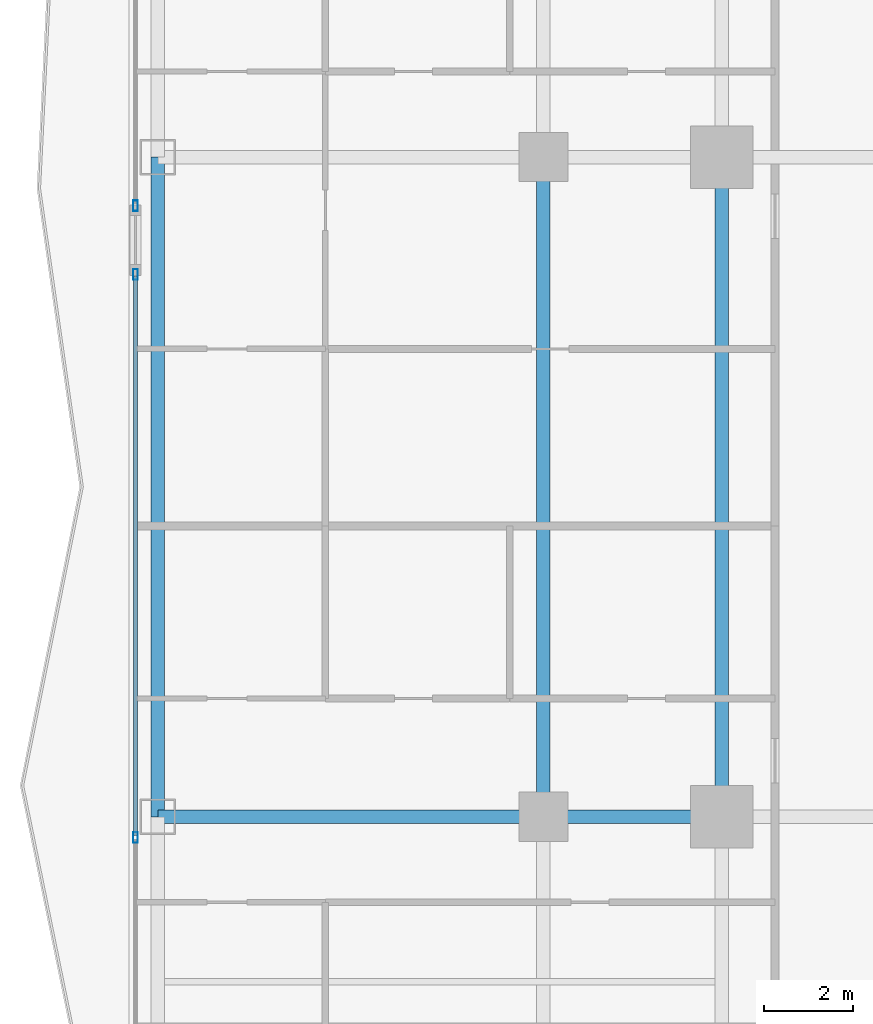
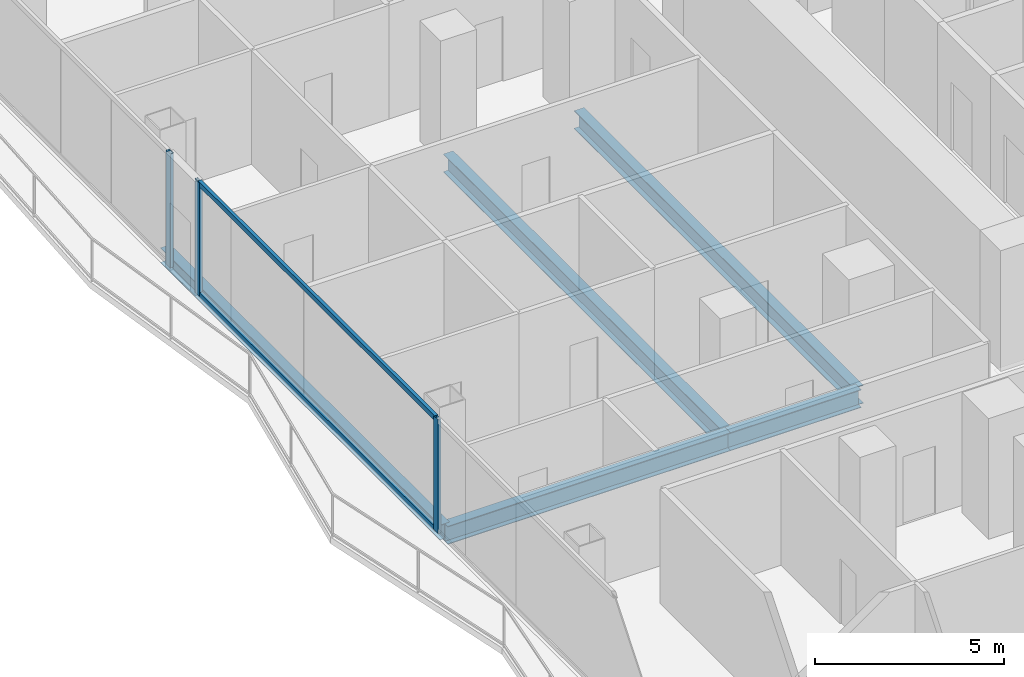
# One storey, part 6 of 33: 5 beams, 5 members, 2 elements without a shape of their own.
"""IFC4 building model written with IfcOpenShell, lengths in metres."""

from ifc_helpers import new_model, si_unit, direction, frame, origin, origin_2d, place, context, subcontext, project, spatial, hollow_rectangle, i_section, extrude, material, layer, layer_set, material_profile, profile_set, type_object, element, aggregate, save


model = new_model("IFC4")

# Units and contexts
model_context = context("Model", 3, precision=1e-05, world=origin(), true_north=direction((0.0, 1.0)))
body_context = subcontext(model_context, "Body", "Model", "MODEL_VIEW")
ifc_project = project(units=[si_unit("LENGTHUNIT", "METRE"), si_unit("AREAUNIT", "SQUARE_METRE"), si_unit("VOLUMEUNIT", "CUBIC_METRE"), si_unit("PLANEANGLEUNIT", "RADIAN"), si_unit("MASSUNIT", "GRAM", prefix="KILO")], contexts=[model_context])

# Site, building, storey
site_placement = place(None, origin())
site = spatial("IfcSite", under=ifc_project, at=site_placement, CompositionType="ELEMENT")
building_placement = place(site_placement, origin())
building = spatial("IfcBuilding", under=site, at=building_placement, Name="Khorvyn Point Tower", CompositionType="ELEMENT")
storey_placement = place(building_placement, frame((0.0, 0.0, 65.699951171875)))
storey = spatial("IfcBuildingStorey", under=building, at=storey_placement, Name="L17", CompositionType="ELEMENT", Elevation=65.699951171875)

# Curtain wall, members
ifc_material_1 = material(Name="Anodised aluminium 6063-T6 and laminated Low-E glass", Category="aluminium")
ifc_layer = layer(ifc_material_1, 0.18994140625)
ifc_layer_set = layer_set([ifc_layer], Name="Stick-Built Finned Residential Curtain Wall CW-SYS-02")
curtain_wall_type = type_object("IfcCurtainWallType", Name="Stick-Built Finned Residential Curtain Wall CW-SYS-02", PredefinedType="NOTDEFINED", material=ifc_layer_set)
curtain_wall_1_placement = place(storey_placement, origin())
curtain_wall_1 = element("IfcCurtainWall", 1, at=curtain_wall_1_placement, inside=storey, type_object=curtain_wall_type, Name="Curtain Wall", PredefinedType="NOTDEFINED")
ifc_material_2 = material(Name="Anodised aluminium 6063-T6", Category="aluminium")
ifc_material_profile_1 = material_profile(ifc_material_2, hollow_rectangle(XDim=0.10009765625, YDim=0.239990234375, WallThickness=0.0048828125, at=origin_2d()))
ifc_profile_set_1 = profile_set([ifc_material_profile_1], Name="Anodised aluminium 6063-T6 ALU-MUL-100x240")
member_type_1 = type_object("IfcMemberType", Name="Anodised Aluminium 6063-T6 Mullion ALU-MUL-100x240", PredefinedType="MULLION", material=ifc_profile_set_1)
member_1_placement = place(storey_placement, frame((-27.949951171875, -7.865478515625, 0.0), z_axis=(0.0, 0.0, 1.0), x_axis=(-1.0, 0.0, 0.0)))
member_1 = element("IfcMember", 2, at=member_1_placement, type_object=member_type_1, Name="Transom", PredefinedType="MULLION", context=body_context, shape_type="SweptSolid", body=[
    extrude(hollow_rectangle(XDim=0.10009765625, YDim=0.239990234375, WallThickness=0.0048828125, at=origin_2d()), origin(), (0.0, 0.0, 1.0), 3.679931640625),
])
member_2_placement = place(storey_placement, frame((-27.949951171875, 4.76904296875, 0.0), z_axis=(0.0, 0.0, 1.0), x_axis=(-1.0, 0.0, 0.0)))
member_2 = element("IfcMember", 3, at=member_2_placement, type_object=member_type_1, Name="Transom", PredefinedType="MULLION", context=body_context, shape_type="SweptSolid", body=[
    extrude(hollow_rectangle(XDim=0.10009765625, YDim=0.239990234375, WallThickness=0.0048828125, at=origin_2d()), origin(), (0.0, 0.0, 1.0), 3.679931640625),
])

# Curtain wall, member
curtain_wall_2_placement = place(storey_placement, origin())
curtain_wall_2 = element("IfcCurtainWall", 4, at=curtain_wall_2_placement, inside=storey, type_object=curtain_wall_type, Name="Curtain Wall", PredefinedType="NOTDEFINED")
member_3_placement = place(storey_placement, frame((-27.949951171875, 6.30908203125, 0.0), z_axis=(0.0, 0.0, 1.0), x_axis=(-1.0, 0.0, 0.0)))
member_3 = element("IfcMember", 5, at=member_3_placement, type_object=member_type_1, Name="Transom", PredefinedType="MULLION", context=body_context, shape_type="SweptSolid", body=[
    extrude(hollow_rectangle(XDim=0.10009765625, YDim=0.239990234375, WallThickness=0.0048828125, at=origin_2d()), origin(), (0.0, 0.0, 1.0), 3.679931640625),
])
aggregate(curtain_wall_2, [member_3])

# Member
ifc_material_profile_2 = material_profile(ifc_material_2, hollow_rectangle(XDim=0.10009765625, YDim=0.159912109375, WallThickness=0.00439453125, at=origin_2d()))
ifc_profile_set_2 = profile_set([ifc_material_profile_2], Name="Anodised aluminium 6063-T6 ALU-TRN-100x160")
member_type_2 = type_object("IfcMemberType", Name="Anodised Aluminium 6063-T6 Transom ALU-TRN-100x160", PredefinedType="USERDEFINED", material=ifc_profile_set_2)
member_4_placement = place(storey_placement, frame((-27.949951171875, -7.8154296875, 0.050048828125), z_axis=(0.0, 1.0, 0.0), x_axis=(-1.0, 0.0, 0.0)))
member_4 = element("IfcMember", 6, at=member_4_placement, type_object=member_type_2, Name="Transom", ObjectType="TRANSOM", PredefinedType="USERDEFINED", context=body_context, shape_type="SweptSolid", body=[
    extrude(hollow_rectangle(XDim=0.10009765625, YDim=0.159912109375, WallThickness=0.00439453125, at=origin_2d()), origin(), (0.0, 0.0, 1.0), 12.534423828125),
])

member_5_placement = place(storey_placement, frame((-27.949951171875, -7.8154296875, 3.630126953125), z_axis=(0.0, 1.0, 0.0), x_axis=(-1.0, 0.0, 0.0)))
member_5 = element("IfcMember", 7, at=member_5_placement, type_object=member_type_2, Name="Transom", ObjectType="TRANSOM", PredefinedType="USERDEFINED", context=body_context, shape_type="SweptSolid", body=[
    extrude(hollow_rectangle(XDim=0.10009765625, YDim=0.159912109375, WallThickness=0.00439453125, at=origin_2d()), origin(), (0.0, 0.0, 1.0), 12.534423828125),
])

aggregate(curtain_wall_1, [member_1, member_2, member_4, member_5])

# Beams
ifc_material_3 = material(Name="Steel S355", Category="steel")
ifc_material_profile_3 = material_profile(ifc_material_3, i_section(OverallWidth=0.300048828125, OverallDepth=0.587890625, WebThickness=0.011962890625, FlangeThickness=0.02001953125, at=origin_2d()))
ifc_profile_set_3 = profile_set([ifc_material_profile_3], Name="Steel S355 H588x300x12x20")
beam_type_1 = type_object("IfcBeamType", Name="Steel S355 Beam H588x300x12x20", PredefinedType="BEAM", material=ifc_profile_set_3)
beam_1_placement = place(storey_placement, frame((-27.449951171875, -7.39990234375, -0.513916015625), z_axis=(1.0, 0.0, 0.0), x_axis=(0.0, 1.0, 0.0)))
element("IfcBeam", 8, at=beam_1_placement, inside=storey, type_object=beam_type_1, Name="Beam", PredefinedType="BEAM", context=body_context, shape_type="SweptSolid", body=[
    extrude(i_section(OverallWidth=0.300048828125, OverallDepth=0.587890625, WebThickness=0.011962890625, FlangeThickness=0.02001953125, at=origin_2d()), origin(), (0.0, 0.0, 1.0), 8.64990234375),
])
beam_2_placement = place(storey_placement, frame((-18.800048828125, -7.39990234375, -0.513916015625), z_axis=(1.0, 0.0, 0.0), x_axis=(0.0, 1.0, 0.0)))
element("IfcBeam", 9, at=beam_2_placement, inside=storey, type_object=beam_type_1, Name="Beam", PredefinedType="BEAM", context=body_context, shape_type="SweptSolid", body=[
    extrude(i_section(OverallWidth=0.300048828125, OverallDepth=0.587890625, WebThickness=0.011962890625, FlangeThickness=0.02001953125, at=origin_2d()), origin(), (0.0, 0.0, 1.0), 4.0),
])
for number, where, z_axis, x_axis, name in (
    (10, (-14.800048828125, -7.39990234375, -0.513916015625), (0.0, 1.0, 0.0), (-1.0, 0.0, 0.0), "Beam"),
    (11, (-18.800048828125, -7.39990234375, -0.513916015625), (0.0, 1.0, 0.0), (-1.0, 0.0, 0.0), "Beam"),
):
    element("IfcBeam", number, at=place(storey_placement, frame(where, z_axis=z_axis, x_axis=x_axis)), inside=storey, type_object=beam_type_1, Name=name, PredefinedType="BEAM", context=body_context, shape_type="SweptSolid", body=[
        extrude(i_section(OverallWidth=0.300048828125, OverallDepth=0.587890625, WebThickness=0.011962890625, FlangeThickness=0.02001953125, at=origin_2d()), origin(), (0.0, 0.0, 1.0), 14.7998046875),
    ])
ifc_material_profile_4 = material_profile(ifc_material_3, i_section(OverallWidth=0.300048828125, OverallDepth=0.488037109375, WebThickness=0.010986328125, FlangeThickness=0.01806640625, at=origin_2d()))
ifc_profile_set_4 = profile_set([ifc_material_profile_4], Name="Steel S355 H488x300x11x18")
beam_type_2 = type_object("IfcBeamType", Name="Steel S355 Spandrel H488x300x11x18", PredefinedType="SPANDREL", material=ifc_profile_set_4)
beam_3_placement = place(storey_placement, frame((-27.449951171875, -7.39990234375, -0.4638671875), z_axis=(0.0, 1.0, 0.0), x_axis=(-1.0, 0.0, 0.0)))
element("IfcBeam", 12, at=beam_3_placement, inside=storey, type_object=beam_type_2, Name="Beam", PredefinedType="SPANDREL", context=body_context, shape_type="SweptSolid", body=[
    extrude(i_section(OverallWidth=0.300048828125, OverallDepth=0.488037109375, WebThickness=0.010986328125, FlangeThickness=0.01806640625, at=origin_2d()), origin(), (0.0, 0.0, 1.0), 14.7998046875),
])

save(model, "model.ifc")
